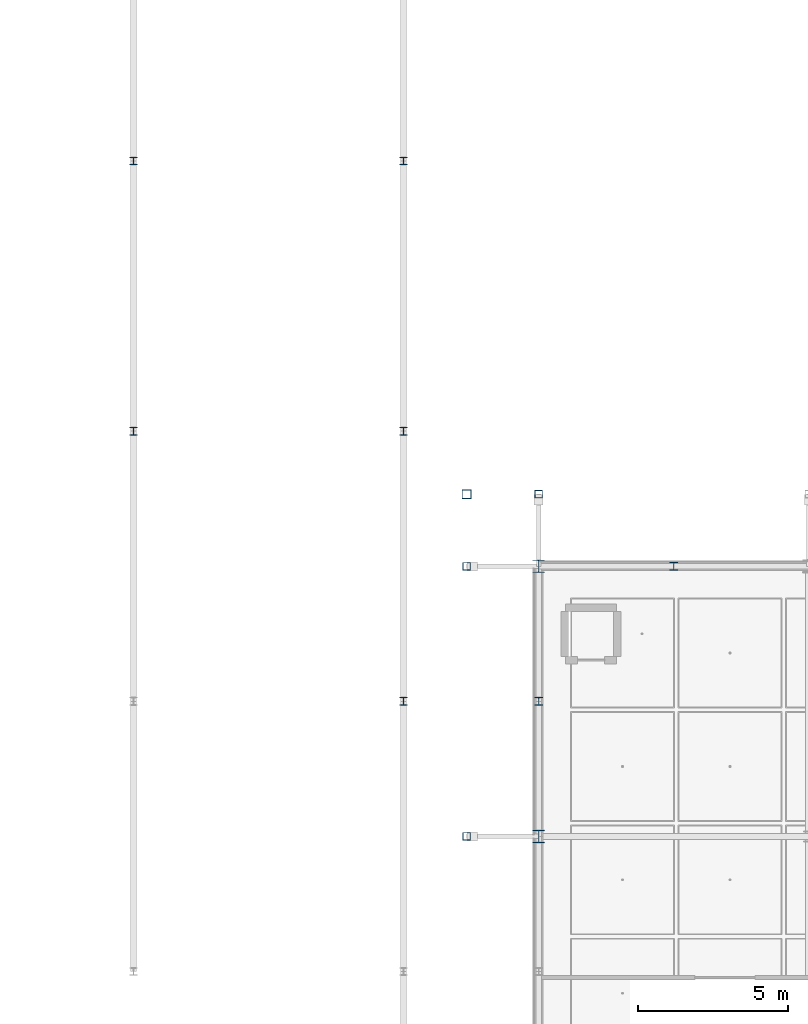
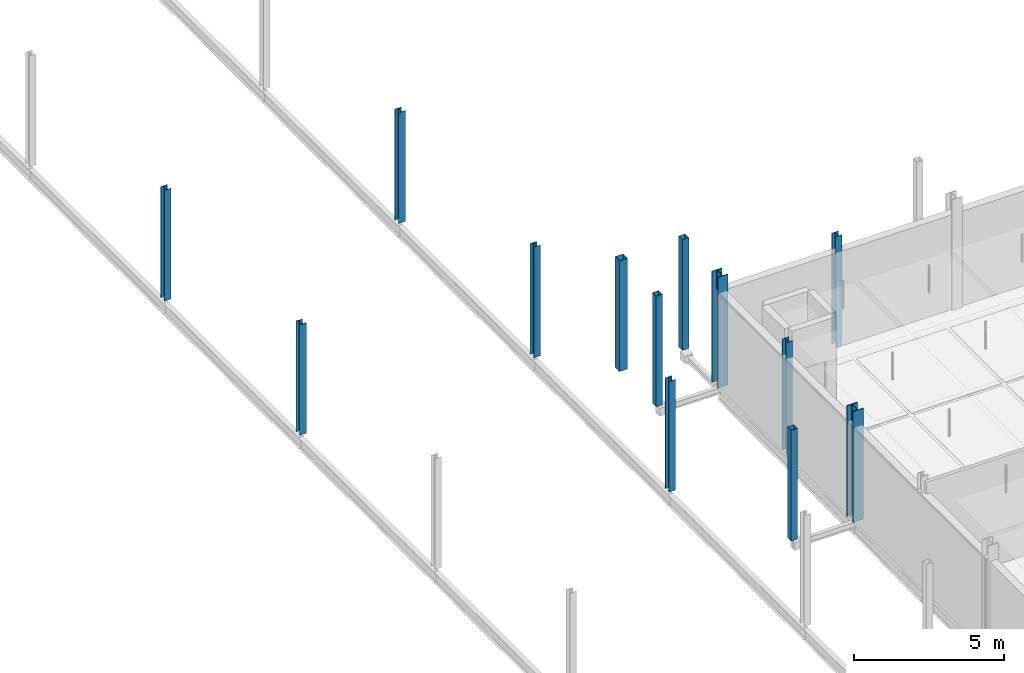
# One storey, part 5 of 130: 13 columns.
"""IFC4 building model written with IfcOpenShell, lengths in metres."""

from ifc_helpers import new_model, si_unit, direction, frame, origin, origin_2d, place, context, subcontext, project, spatial, hollow_rectangle, i_section, extrude, material, material_profile, profile_set, type_object, element, save


model = new_model("IFC4")

# Units and contexts
model_context = context("Model", 3, precision=1e-05, world=origin(), true_north=direction((0.0, 1.0)))
body_context = subcontext(model_context, "Body", "Model", "MODEL_VIEW")
ifc_project = project(units=[si_unit("LENGTHUNIT", "METRE"), si_unit("AREAUNIT", "SQUARE_METRE"), si_unit("VOLUMEUNIT", "CUBIC_METRE"), si_unit("PLANEANGLEUNIT", "RADIAN"), si_unit("MASSUNIT", "GRAM", prefix="KILO"), si_unit("THERMODYNAMICTEMPERATUREUNIT", "KELVIN"), si_unit("POWERUNIT", "WATT")], contexts=[model_context])

# Site, building, storey
site_placement = place(None, origin())
site = spatial("IfcSite", under=ifc_project, at=site_placement, CompositionType="ELEMENT")
building_placement = place(site_placement, origin())
building = spatial("IfcBuilding", under=site, at=building_placement, Name="Tallowbark Science Centre", CompositionType="ELEMENT")
storey_placement = place(building_placement, frame((0.0, 0.0, 5.39990234375)))
storey = spatial("IfcBuildingStorey", under=building, at=storey_placement, Name="L01", CompositionType="ELEMENT", Elevation=5.39990234375)

# Columns
ifc_material_1 = material(Name="White Architectural Painted Steel Grade C350L0 (350 MPa)", Category="steel")
ifc_material_profile_1 = material_profile(ifc_material_1, hollow_rectangle(XDim=0.25, YDim=0.25, WallThickness=0.009033203125, at=origin_2d()), Name="250x250x9.0SHS")
ifc_profile_set_1 = profile_set([ifc_material_profile_1], Name="White Architectural Painted Steel Grade C350L0 (350 MPa)")
column_type_1 = type_object("IfcColumnType", Name="COL-SCR200", PredefinedType="COLUMN", material=ifc_profile_set_1)
for number, where, z_axis, x_axis, name in (
    (1, (58.5, 42.89990234375, 0.0), (0.0, 0.0, 1.0), (1.0, 0.0, 0.0), "Column SCR-N01 L01"),
    (2, (56.10009765625, 31.5, 0.0), (0.0, 0.0, 1.0), (1.0, 0.0, 0.0), "Column SCR-W04 L01"),
    (3, (56.10009765625, 40.5, 0.0), (0.0, 0.0, 1.0), (1.0, 0.0, 0.0), "Column SCR-W05 L01"),
):
    element("IfcColumn", number, at=place(storey_placement, frame(where, z_axis=z_axis, x_axis=x_axis)), inside=storey, type_object=column_type_1, Name=name, PredefinedType="COLUMN", context=body_context, shape_type="SweptSolid", body=[
        extrude(hollow_rectangle(XDim=0.25, YDim=0.25, WallThickness=0.009033203125, at=origin_2d()), origin(), (0.0, 0.0, 1.0), 4.5),
    ])
ifc_material_profile_2 = material_profile(ifc_material_1, hollow_rectangle(XDim=0.300048828125, YDim=0.300048828125, WallThickness=0.010009765625, at=origin_2d()), Name="300x300x10.0SHS")
ifc_profile_set_2 = profile_set([ifc_material_profile_2], Name="White Architectural Painted Steel Grade C350L0 (350 MPa)")
column_type_2 = type_object("IfcColumnType", Name="COL-SCR300", PredefinedType="COLUMN", material=ifc_profile_set_2)
column_placement = place(storey_placement, frame((56.10009765625, 42.89990234375, 0.0), z_axis=(0.0, 0.0, 1.0), x_axis=(1.0, 0.0, 0.0)))
element("IfcColumn", 4, at=column_placement, inside=storey, type_object=column_type_2, Name="Column SCR-N00 L01", PredefinedType="COLUMN", context=body_context, shape_type="SweptSolid", body=[
    extrude(hollow_rectangle(XDim=0.300048828125, YDim=0.300048828125, WallThickness=0.010009765625, at=origin_2d()), origin(), (0.0, 0.0, 1.0), 4.5),
])
ifc_material_2 = material(Name="Structural Steel Grade 300PLUS (300 MPa)", Category="steel")
ifc_material_profile_3 = material_profile(ifc_material_2, i_section(OverallWidth=0.256103515625, OverallDepth=0.260009765625, WebThickness=0.010498046875, FlangeThickness=0.017333984375, FilletRadius=0.013916015625, at=origin_2d()), Name="250UC89.5")
ifc_profile_set_3 = profile_set([ifc_material_profile_3], Name="Structural Steel Grade 300PLUS (300 MPa)")
column_type_3 = type_object("IfcColumnType", Name="COL-UC250A", PredefinedType="COLUMN", material=ifc_profile_set_3)
for number, where, z_axis, x_axis, name in (
    (5, (54.0, 36.0, 0.0), (0.0, 0.0, 1.0), (1.0, 0.0, 0.0), "Column PAS-E04 L01"),
    (6, (45.0, 45.0, 0.0), (0.0, 0.0, 1.0), (1.0, 0.0, 0.0), "Column PAS-W05 L01"),
    (7, (54.0, 45.0, 0.0), (0.0, 0.0, 1.0), (1.0, 0.0, 0.0), "Column PAS-E05 L01"),
    (8, (45.0, 54.0, 0.0), (0.0, 0.0, 1.0), (1.0, 0.0, 0.0), "Column PAS-W06 L01"),
    (9, (54.0, 54.0, 0.0), (0.0, 0.0, 1.0), (1.0, 0.0, 0.0), "Column PAS-E06 L01"),
):
    element("IfcColumn", number, at=place(storey_placement, frame(where, z_axis=z_axis, x_axis=x_axis)), inside=storey, type_object=column_type_3, Name=name, PredefinedType="COLUMN", context=body_context, shape_type="SweptSolid", body=[
        extrude(i_section(OverallWidth=0.256103515625, OverallDepth=0.260009765625, WebThickness=0.010498046875, FlangeThickness=0.017333984375, FilletRadius=0.013916015625, at=origin_2d()), origin(), (0.0, 0.0, 1.0), 4.5),
    ])
ifc_material_profile_4 = material_profile(ifc_material_2, i_section(OverallWidth=0.39990234375, OverallDepth=0.427978515625, WebThickness=0.02001953125, FlangeThickness=0.028076171875, FilletRadius=0.01611328125, at=origin_2d()), Name="400WC270")
ifc_profile_set_4 = profile_set([ifc_material_profile_4], Name="Structural Steel Grade 300PLUS (300 MPa)")
column_type_4 = type_object("IfcColumnType", Name="COL-WC400", PredefinedType="COLUMN", material=ifc_profile_set_4)
for number, where, z_axis, x_axis, name in (
    (10, (58.5, 31.5, 0.0), (0.0, 0.0, 1.0), (1.0, 0.0, 0.0), "Column CUB-M0_3 L01"),
    (11, (58.5, 40.5, 0.0), (0.0, 0.0, 1.0), (1.0, 0.0, 0.0), "Column CUB-M0_4 L01"),
):
    element("IfcColumn", number, at=place(storey_placement, frame(where, z_axis=z_axis, x_axis=x_axis)), inside=storey, type_object=column_type_4, Name=name, PredefinedType="COLUMN", context=body_context, shape_type="SweptSolid", body=[
        extrude(i_section(OverallWidth=0.39990234375, OverallDepth=0.427978515625, WebThickness=0.02001953125, FlangeThickness=0.028076171875, FilletRadius=0.01611328125, at=origin_2d()), origin(), (0.0, 0.0, 1.0), 4.5),
    ])
ifc_material_profile_5 = material_profile(ifc_material_2, i_section(OverallWidth=0.256103515625, OverallDepth=0.260009765625, WebThickness=0.010498046875, FlangeThickness=0.017333984375, FilletRadius=0.013916015625, at=origin_2d()), Name="250UC89.5")
ifc_profile_set_5 = profile_set([ifc_material_profile_5], Name="Structural Steel Grade 300PLUS (300 MPa)")
column_type_5 = type_object("IfcColumnType", Name="PIL-UC250", PredefinedType="PILASTER", material=ifc_profile_set_5)
for number, where, z_axis, x_axis, name in (
    (12, (63.0, 40.5, 0.0), (0.0, 0.0, 1.0), (1.0, 0.0, 0.0), "Column CUB-PN-0 L01"),
    (13, (58.5, 36.0, 0.0), (0.0, 0.0, 1.0), (1.0, 0.0, 0.0), "Column CUB-PW-3 L01"),
):
    element("IfcColumn", number, at=place(storey_placement, frame(where, z_axis=z_axis, x_axis=x_axis)), inside=storey, type_object=column_type_5, Name=name, PredefinedType="PILASTER", context=body_context, shape_type="SweptSolid", body=[
        extrude(i_section(OverallWidth=0.256103515625, OverallDepth=0.260009765625, WebThickness=0.010498046875, FlangeThickness=0.017333984375, FilletRadius=0.013916015625, at=origin_2d()), origin(), (0.0, 0.0, 1.0), 4.5),
    ])

save(model, "model.ifc")
